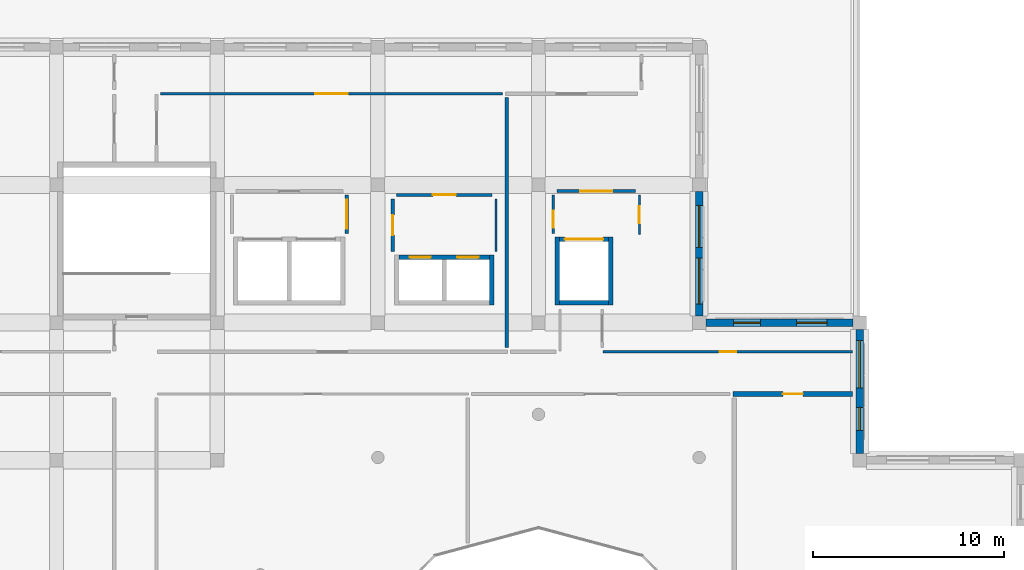
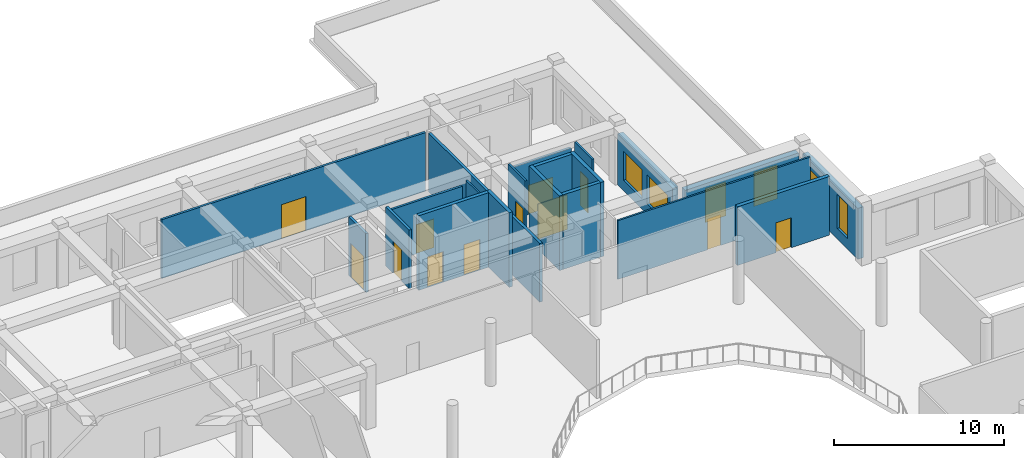
# One storey, part 14 of 47: 20 walls, 12 doors, 6 windows, 18 openings.
"""IFC4 building model written with IfcOpenShell, lengths in metres."""

from ifc_helpers import new_model, si_unit, derived_unit, direction, frame, frame_2d, origin, place, context, subcontext, project, spatial, rectangle, extrude, material, layer, layer_set, type_object, element, fill, save


model = new_model("IFC4")

# Units and contexts
model_context = context("Model", 3, precision=1e-05, world=origin(), true_north=direction((0.0, 1.0)))
body_context = subcontext(model_context, "Body", "Model", "MODEL_VIEW")
ifc_project = project(units=[si_unit("LENGTHUNIT", "METRE"), si_unit("AREAUNIT", "SQUARE_METRE"), si_unit("VOLUMEUNIT", "CUBIC_METRE"), si_unit("PLANEANGLEUNIT", "RADIAN"), si_unit("MASSUNIT", "GRAM", prefix="KILO"), derived_unit("THERMALTRANSMITTANCEUNIT", [(si_unit("POWERUNIT", "WATT"), 1), (si_unit("LENGTHUNIT", "METRE"), -2), (si_unit("THERMODYNAMICTEMPERATUREUNIT", "KELVIN"), -1)])], contexts=[model_context])

# Site, building, storey
site_placement = place(None, origin())
site = spatial("IfcSite", under=ifc_project, at=site_placement, CompositionType="ELEMENT")
building_placement = place(site_placement, origin())
building = spatial("IfcBuilding", under=site, at=building_placement, Name="Veybourne Emporium", CompositionType="ELEMENT")
storey_placement = place(building_placement, frame((0.0, 0.0, 23.39990234375)))
storey = spatial("IfcBuildingStorey", under=building, at=storey_placement, Name="L05", CompositionType="ELEMENT", Elevation=23.39990234375)

# Wall, openings, windows
ifc_material_1 = material(Name="Portland Limestone Ashlar", Category="masonry")
ifc_layer_1 = layer(ifc_material_1, 0.3798828125)
ifc_layer_set_1 = layer_set([ifc_layer_1], Name="Portland Limestone Ashlar")
wall_type_1 = type_object("IfcWallType", Name="ExtWall_EW-03", PredefinedType="SOLIDWALL", material=ifc_layer_set_1)
wall_1_placement = place(storey_placement, frame((84.0, 78.85009765625, 0.0), z_axis=(0.0, 0.0, 1.0), x_axis=(0.0, -1.0, 0.0)))
wall_1 = element("IfcWall", 1, at=wall_1_placement, inside=storey, type_object=wall_type_1, Name="L05 Portland stone external wall 044", PredefinedType="SOLIDWALL", context=body_context, shape_type="SweptSolid", body=[
    extrude(rectangle(XDim=6.5, YDim=0.3798828125, at=frame_2d((3.25, 0.0))), origin(), (0.0, 0.0, 1.0), 3.66015625),
])
opening_1_placement = place(wall_1_placement, frame((0.719970703125, 0.0, 0.75)))
opening_1 = element("IfcOpeningElement", 2, at=opening_1_placement, cuts=wall_1, Name="Opening W-14", PredefinedType="OPENING", context=body_context, shape_type="SweptSolid", body=[
    extrude(rectangle(XDim=2.199951171875, YDim=2.080078125, at=frame_2d((1.10009765625, 1.0400390625))), frame((0.0, 0.2099609375, 0.0), z_axis=(0.0, -1.0, 0.0), x_axis=(1.0, 0.0, 0.0)), (0.0, 0.0, 1.0), 0.419921875),
])
opening_2_placement = place(wall_1_placement, frame((3.47998046875, 0.0, 0.75)))
opening_2 = element("IfcOpeningElement", 3, at=opening_2_placement, cuts=wall_1, Name="Opening W-15", PredefinedType="OPENING", context=body_context, shape_type="SweptSolid", body=[
    extrude(rectangle(XDim=2.39990234375, YDim=2.080078125, at=frame_2d((1.199951171875, 1.0400390625))), frame((0.0, 0.2099609375, 0.0), z_axis=(0.0, -1.0, 0.0), x_axis=(1.0, 0.0, 0.0)), (0.0, 0.0, 1.0), 0.419921875),
])
ifc_material_2 = material(Name="Low-E Triple Glazing", Category="glass")
window_type_1 = type_object("IfcWindowType", Name="Win_W-14", PartitioningType="TRIPLE_PANEL_VERTICAL", PredefinedType="WINDOW", material=ifc_material_2)
window_1_placement = place(opening_1_placement, origin())
window_1 = element("IfcWindow", 4, at=window_1_placement, inside=storey, type_object=window_type_1, Name="L05 tripartite bronze casement window W-14 (44.1)", OverallHeight=2.080078125, OverallWidth=2.199951171875, PartitioningType="TRIPLE_PANEL_VERTICAL", PredefinedType="WINDOW", context=body_context, shape_type="SweptSolid", body=[
    extrude(rectangle(XDim=2.199951171875, YDim=2.080078125, at=frame_2d((1.10009765625, 1.0400390625))), frame((0.0, 0.030029296875, 0.0), z_axis=(0.0, -1.0, 0.0), x_axis=(1.0, 0.0, 0.0)), (0.0, 0.0, 1.0), 0.06005859375),
])
fill(opening_1, window_1)
window_type_2 = type_object("IfcWindowType", Name="Win_W-15", PartitioningType="TRIPLE_PANEL_VERTICAL", PredefinedType="WINDOW", material=ifc_material_2)
window_2_placement = place(opening_2_placement, origin())
window_2 = element("IfcWindow", 5, at=window_2_placement, inside=storey, type_object=window_type_2, Name="L05 tripartite bronze casement window W-15 (44.2)", OverallHeight=2.080078125, OverallWidth=2.39990234375, PartitioningType="TRIPLE_PANEL_VERTICAL", PredefinedType="WINDOW", context=body_context, shape_type="SweptSolid", body=[
    extrude(rectangle(XDim=2.39990234375, YDim=2.080078125, at=frame_2d((1.199951171875, 1.0400390625))), frame((0.0, 0.030029296875, 0.0), z_axis=(0.0, -1.0, 0.0), x_axis=(1.0, 0.0, 0.0)), (0.0, 0.0, 1.0), 0.06005859375),
])
fill(opening_2, window_2)

wall_2_placement = place(storey_placement, frame((92.39990234375, 71.64990234375, 0.0), z_axis=(0.0, 0.0, 1.0), x_axis=(0.0, -1.0, 0.0)))
wall_2 = element("IfcWall", 6, at=wall_2_placement, inside=storey, type_object=wall_type_1, Name="L05 Portland stone external wall 049", PredefinedType="SOLIDWALL", context=body_context, shape_type="SweptSolid", body=[
    extrude(rectangle(XDim=6.5, YDim=0.3798828125, at=frame_2d((3.25, 0.0))), origin(), (0.0, 0.0, 1.0), 3.66015625),
])
opening_3_placement = place(wall_2_placement, frame((0.5849609375, 0.0, 0.75)))
opening_3 = element("IfcOpeningElement", 7, at=opening_3_placement, cuts=wall_2, Name="Opening W-24", PredefinedType="OPENING", context=body_context, shape_type="SweptSolid", body=[
    extrude(rectangle(XDim=2.469970703125, YDim=2.260009765625, at=frame_2d((1.23486328125, 1.1298828125))), frame((0.0, 0.2099609375, 0.0), z_axis=(0.0, -1.0, 0.0), x_axis=(1.0, 0.0, 0.0)), (0.0, 0.0, 1.0), 0.419921875),
])
opening_4_placement = place(wall_2_placement, frame((4.080078125, 0.0, 0.75)))
opening_4 = element("IfcOpeningElement", 8, at=opening_4_placement, cuts=wall_2, Name="Opening W-25", PredefinedType="OPENING", context=body_context, shape_type="SweptSolid", body=[
    extrude(rectangle(XDim=1.199951171875, YDim=2.43994140625, at=frame_2d((0.60009765625, 1.219970703125))), frame((0.0, 0.2099609375, 0.0), z_axis=(0.0, -1.0, 0.0), x_axis=(1.0, 0.0, 0.0)), (0.0, 0.0, 1.0), 0.419921875),
])
window_type_3 = type_object("IfcWindowType", Name="Win_W-24", PartitioningType="TRIPLE_PANEL_VERTICAL", PredefinedType="WINDOW", material=ifc_material_2)
window_3_placement = place(opening_3_placement, origin())
window_3 = element("IfcWindow", 9, at=window_3_placement, inside=storey, type_object=window_type_3, Name="L05 tripartite bronze casement window W-24 (49.1)", OverallHeight=2.260009765625, OverallWidth=2.469970703125, PartitioningType="TRIPLE_PANEL_VERTICAL", PredefinedType="WINDOW", context=body_context, shape_type="SweptSolid", body=[
    extrude(rectangle(XDim=2.469970703125, YDim=2.260009765625, at=frame_2d((1.23486328125, 1.1298828125))), frame((0.0, 0.030029296875, 0.0), z_axis=(0.0, -1.0, 0.0), x_axis=(1.0, 0.0, 0.0)), (0.0, 0.0, 1.0), 0.06005859375),
])
fill(opening_3, window_3)
window_type_4 = type_object("IfcWindowType", Name="Win_W-25", PartitioningType="SINGLE_PANEL", PredefinedType="WINDOW", material=ifc_material_2)
window_4_placement = place(opening_4_placement, origin())
window_4 = element("IfcWindow", 10, at=window_4_placement, inside=storey, type_object=window_type_4, Name="L05 tripartite bronze casement window W-25 (49.2)", OverallHeight=2.43994140625, OverallWidth=1.199951171875, PartitioningType="SINGLE_PANEL", PredefinedType="WINDOW", context=body_context, shape_type="SweptSolid", body=[
    extrude(rectangle(XDim=1.199951171875, YDim=2.43994140625, at=frame_2d((0.60009765625, 1.219970703125))), frame((0.0, 0.030029296875, 0.0), z_axis=(0.0, -1.0, 0.0), x_axis=(1.0, 0.0, 0.0)), (0.0, 0.0, 1.0), 0.06005859375),
])
fill(opening_4, window_4)

wall_3_placement = place(storey_placement, frame((84.35009765625, 72.0, 0.0), z_axis=(0.0, 0.0, 1.0), x_axis=(1.0, 0.0, 0.0)))
wall_3 = element("IfcWall", 11, at=wall_3_placement, inside=storey, type_object=wall_type_1, Name="L05 Portland stone external wall 050", PredefinedType="SOLIDWALL", context=body_context, shape_type="SweptSolid", body=[
    extrude(rectangle(XDim=7.699951171875, YDim=0.3798828125, at=frame_2d((3.85009765625, 0.0))), origin(), (0.0, 0.0, 1.0), 3.66015625),
])
opening_5_placement = place(wall_3_placement, frame((1.4560546875, 0.0, 0.75)))
opening_5 = element("IfcOpeningElement", 12, at=opening_5_placement, cuts=wall_3, Name="Opening W-26", PredefinedType="OPENING", context=body_context, shape_type="SweptSolid", body=[
    extrude(rectangle(XDim=1.39990234375, YDim=2.43994140625, at=frame_2d((0.699951171875, 1.219970703125))), frame((0.0, 0.2099609375, 0.0), z_axis=(0.0, -1.0, 0.0), x_axis=(1.0, 0.0, 0.0)), (0.0, 0.0, 1.0), 0.419921875),
])
opening_6_placement = place(wall_3_placement, frame((4.743896484375, 0.0, 0.75)))
opening_6 = element("IfcOpeningElement", 13, at=opening_6_placement, cuts=wall_3, Name="Opening W-27", PredefinedType="OPENING", context=body_context, shape_type="SweptSolid", body=[
    extrude(rectangle(XDim=1.60009765625, YDim=2.43994140625, at=frame_2d((0.800048828125, 1.219970703125))), frame((0.0, 0.2099609375, 0.0), z_axis=(0.0, -1.0, 0.0), x_axis=(1.0, 0.0, 0.0)), (0.0, 0.0, 1.0), 0.419921875),
])
window_type_5 = type_object("IfcWindowType", Name="Win_W-26", PartitioningType="DOUBLE_PANEL_VERTICAL", PredefinedType="WINDOW", material=ifc_material_2)
window_5_placement = place(opening_5_placement, origin())
window_5 = element("IfcWindow", 14, at=window_5_placement, inside=storey, type_object=window_type_5, Name="L05 tripartite bronze casement window W-26 (50.1)", OverallHeight=2.43994140625, OverallWidth=1.39990234375, PartitioningType="DOUBLE_PANEL_VERTICAL", PredefinedType="WINDOW", context=body_context, shape_type="SweptSolid", body=[
    extrude(rectangle(XDim=1.39990234375, YDim=2.43994140625, at=frame_2d((0.699951171875, 1.219970703125))), frame((0.0, 0.030029296875, 0.0), z_axis=(0.0, -1.0, 0.0), x_axis=(1.0, 0.0, 0.0)), (0.0, 0.0, 1.0), 0.06005859375),
])
fill(opening_5, window_5)
window_type_6 = type_object("IfcWindowType", Name="Win_W-27", PartitioningType="DOUBLE_PANEL_VERTICAL", PredefinedType="WINDOW", material=ifc_material_2)
window_6_placement = place(opening_6_placement, origin())
window_6 = element("IfcWindow", 15, at=window_6_placement, inside=storey, type_object=window_type_6, Name="L05 tripartite bronze casement window W-27 (50.2)", OverallHeight=2.43994140625, OverallWidth=1.60009765625, PartitioningType="DOUBLE_PANEL_VERTICAL", PredefinedType="WINDOW", context=body_context, shape_type="SweptSolid", body=[
    extrude(rectangle(XDim=1.60009765625, YDim=2.43994140625, at=frame_2d((0.800048828125, 1.219970703125))), frame((0.0, 0.030029296875, 0.0), z_axis=(0.0, -1.0, 0.0), x_axis=(1.0, 0.0, 0.0)), (0.0, 0.0, 1.0), 0.06005859375),
])
fill(opening_6, window_6)

# Wall, openings, doors
ifc_material_3 = material(Name="Concrete C40/50", Category="concrete")
ifc_layer_2 = layer(ifc_material_3, 0.239990234375)
ifc_layer_set_2 = layer_set([ifc_layer_2], Name="Concrete C40/50")
wall_type_2 = type_object("IfcWallType", Name="IntWall_CW-04", PredefinedType="SHEAR", material=ifc_layer_set_2)
wall_4_placement = place(storey_placement, frame((73.0400390625, 75.419921875, 0.0), z_axis=(0.0, 0.0, 1.0), x_axis=(-1.0, 0.0, 0.0)))
wall_4 = element("IfcWall", 16, at=wall_4_placement, inside=storey, type_object=wall_type_2, Name="Lift core C4P north shaft wall (L05)", PredefinedType="SHEAR", context=body_context, shape_type="SweptSolid", body=[
    extrude(rectangle(XDim=4.739990234375, YDim=0.239990234375, at=frame_2d((2.3701171875, 0.0))), origin(), (0.0, 0.0, 1.0), 5.35009765625),
])
opening_7_placement = place(wall_4_placement, frame((3.06494140625, 0.0, 0.0)))
opening_7 = element("IfcOpeningElement", 17, at=opening_7_placement, cuts=wall_4, Name="Opening LD-01", PredefinedType="OPENING", context=body_context, shape_type="SweptSolid", body=[
    extrude(rectangle(XDim=1.10009765625, YDim=2.199951171875, at=frame_2d((0.550048828125, 1.10009765625))), frame((0.0, 0.14013671875, 0.0), z_axis=(0.0, -1.0, 0.0), x_axis=(1.0, 0.0, 0.0)), (0.0, 0.0, 1.0), 0.280029296875),
])
opening_8_placement = place(wall_4_placement, frame((0.574951171875, 0.0, 0.0)))
opening_8 = element("IfcOpeningElement", 18, at=opening_8_placement, cuts=wall_4, Name="Opening LD-01", PredefinedType="OPENING", context=body_context, shape_type="SweptSolid", body=[
    extrude(rectangle(XDim=1.10009765625, YDim=2.199951171875, at=frame_2d((0.550048828125, 1.10009765625))), frame((0.0, 0.14013671875, 0.0), z_axis=(0.0, -1.0, 0.0), x_axis=(1.0, 0.0, 0.0)), (0.0, 0.0, 1.0), 0.280029296875),
])
ifc_material_4 = material(Name="Patinated Architectural Bronze", Category="bronze")
door_type_1 = type_object("IfcDoorType", Name="FireDoor_LD-01", OperationType="DOUBLE_DOOR_SLIDING", PredefinedType="DOOR", material=ifc_material_4)
door_1_placement = place(opening_7_placement, origin())
door_1 = element("IfcDoor", 19, at=door_1_placement, inside=storey, type_object=door_type_1, Name="Lift PL-05 sliding landing door (L05)", OperationType="DOUBLE_DOOR_SLIDING", OverallHeight=2.199951171875, OverallWidth=1.10009765625, PredefinedType="DOOR", context=body_context, shape_type="SweptSolid", body=[
    extrude(rectangle(XDim=1.10009765625, YDim=2.199951171875, at=frame_2d((0.550048828125, 1.10009765625))), frame((0.0, 0.02490234375, 0.0), z_axis=(0.0, -1.0, 0.0), x_axis=(1.0, 0.0, 0.0)), (0.0, 0.0, 1.0), 0.050048828125),
])
fill(opening_7, door_1)
door_2_placement = place(opening_8_placement, origin())
door_2 = element("IfcDoor", 20, at=door_2_placement, inside=storey, type_object=door_type_1, Name="Lift PL-06 sliding landing door (L05)", OperationType="DOUBLE_DOOR_SLIDING", OverallHeight=2.199951171875, OverallWidth=1.10009765625, PredefinedType="DOOR", context=body_context, shape_type="SweptSolid", body=[
    extrude(rectangle(XDim=1.10009765625, YDim=2.199951171875, at=frame_2d((0.550048828125, 1.10009765625))), frame((0.0, 0.02490234375, 0.0), z_axis=(0.0, -1.0, 0.0), x_axis=(1.0, 0.0, 0.0)), (0.0, 0.0, 1.0), 0.050048828125),
])
fill(opening_8, door_2)

# Wall
wall_5_placement = place(storey_placement, frame((73.159912109375, 72.909912109375, 0.0), z_axis=(0.0, 0.0, 1.0), x_axis=(0.0, 1.0, 0.0)))
element("IfcWall", 21, at=wall_5_placement, inside=storey, type_object=wall_type_2, Name="Lift core C4P east shaft wall (L05)", PredefinedType="SHEAR", context=body_context, shape_type="SweptSolid", body=[
    extrude(rectangle(XDim=2.630126953125, YDim=0.239990234375, at=frame_2d((1.31494140625, 0.0))), origin(), (0.0, 0.0, 1.0), 5.35009765625),
])

# Wall, opening, door
wall_6_placement = place(storey_placement, frame((79.25, 76.3701171875, 0.0), z_axis=(0.0, 0.0, 1.0), x_axis=(-1.0, 0.0, 0.0)))
wall_6 = element("IfcWall", 22, at=wall_6_placement, inside=storey, type_object=wall_type_2, Name="Lift core C4E north shaft wall (L05)", PredefinedType="SHEAR", context=body_context, shape_type="SweptSolid", body=[
    extrude(rectangle(XDim=2.550048828125, YDim=0.239990234375, at=frame_2d((1.27490234375, 0.0))), origin(), (0.0, 0.0, 1.0), 5.35009765625),
])
opening_9_placement = place(wall_6_placement, frame((0.27490234375, 0.0, 0.0)))
opening_9 = element("IfcOpeningElement", 23, at=opening_9_placement, cuts=wall_6, Name="Opening LD-03", PredefinedType="OPENING", context=body_context, shape_type="SweptSolid", body=[
    extrude(rectangle(XDim=2.0, YDim=2.5, at=frame_2d((1.0, 1.25))), frame((0.0, 0.14013671875, 0.0), z_axis=(0.0, -1.0, 0.0), x_axis=(1.0, 0.0, 0.0)), (0.0, 0.0, 1.0), 0.280029296875),
])
door_type_2 = type_object("IfcDoorType", Name="FireDoor_LD-03", OperationType="DOUBLE_DOOR_SLIDING", PredefinedType="DOOR", material=ifc_material_4)
door_3_placement = place(opening_9_placement, origin())
door_3 = element("IfcDoor", 24, at=door_3_placement, inside=storey, type_object=door_type_2, Name="Lift GL-03 sliding landing door (L05)", OperationType="DOUBLE_DOOR_SLIDING", OverallHeight=2.5, OverallWidth=2.0, PredefinedType="DOOR", context=body_context, shape_type="SweptSolid", body=[
    extrude(rectangle(XDim=2.0, YDim=2.5, at=frame_2d((1.0, 1.25))), frame((0.0, 0.02490234375, 0.0), z_axis=(0.0, -1.0, 0.0), x_axis=(1.0, 0.0, 0.0)), (0.0, 0.0, 1.0), 0.050048828125),
])
fill(opening_9, door_3)

# Walls
wall_7_placement = place(storey_placement, frame((76.699951171875, 73.030029296875, 0.0), z_axis=(0.0, 0.0, 1.0), x_axis=(1.0, 0.0, 0.0)))
element("IfcWall", 25, at=wall_7_placement, inside=storey, type_object=wall_type_2, Name="Lift core C4E south shaft wall (L05)", PredefinedType="SHEAR", context=body_context, shape_type="SweptSolid", body=[
    extrude(rectangle(XDim=2.550048828125, YDim=0.239990234375, at=frame_2d((1.27490234375, 0.0))), origin(), (0.0, 0.0, 1.0), 5.35009765625),
])
for number, where, z_axis, x_axis, name in (
    (26, (76.580078125, 76.489990234375, 0.0), (0.0, 0.0, 1.0), (0.0, -1.0, 0.0), "Lift core C4E west shaft wall (L05)"),
    (27, (79.3701171875, 72.909912109375, 0.0), (0.0, 0.0, 1.0), (0.0, 1.0, 0.0), "Lift core C4E east shaft wall (L05)"),
):
    element("IfcWall", number, at=place(storey_placement, frame(where, z_axis=z_axis, x_axis=x_axis)), inside=storey, type_object=wall_type_2, Name=name, PredefinedType="SHEAR", context=body_context, shape_type="SweptSolid", body=[
        extrude(rectangle(XDim=3.580078125, YDim=0.239990234375, at=frame_2d((1.7900390625, 0.0))), origin(), (0.0, 0.0, 1.0), 5.35009765625),
    ])

# Wall, opening, door
ifc_material_5 = material(Name="Concrete C32/40", Category="concrete")
ifc_layer_3 = layer(ifc_material_5, 0.25)
ifc_layer_set_3 = layer_set([ifc_layer_3], Name="Concrete C32/40")
wall_type_3 = type_object("IfcWallType", Name="IntWall_FW-01", PredefinedType="SOLIDWALL", material=ifc_layer_set_3)
wall_8_placement = place(storey_placement, frame((85.780029296875, 68.27001953125, 0.0), z_axis=(0.0, 0.0, 1.0), x_axis=(1.0, 0.0, 0.0)))
wall_8 = element("IfcWall", 28, at=wall_8_placement, inside=storey, type_object=wall_type_3, Name="L05 interior partition FW-01 #046", PredefinedType="SOLIDWALL", context=body_context, shape_type="SweptSolid", body=[
    extrude(rectangle(XDim=6.25, YDim=0.25, at=frame_2d((3.125, 0.0))), origin(), (0.0, 0.0, 1.0), 4.210205078125),
])
opening_10_placement = place(wall_8_placement, frame((2.60009765625, 0.0, 0.0)))
opening_10 = element("IfcOpeningElement", 29, at=opening_10_placement, cuts=wall_8, Name="Opening FD-02", PredefinedType="OPENING", context=body_context, shape_type="SweptSolid", body=[
    extrude(rectangle(XDim=1.050048828125, YDim=2.14990234375, at=frame_2d((0.52490234375, 1.074951171875))), frame((0.0, 0.14501953125, 0.0), z_axis=(0.0, -1.0, 0.0), x_axis=(1.0, 0.0, 0.0)), (0.0, 0.0, 1.0), 0.2900390625),
])
door_type_3 = type_object("IfcDoorType", Name="FireDoor_FD-02", OperationType="NOTDEFINED", PredefinedType="DOOR", material=ifc_material_4)
door_4_placement = place(opening_10_placement, origin())
door_4 = element("IfcDoor", 30, at=door_4_placement, inside=storey, type_object=door_type_3, Name="L05 interior door FD-02 (PART-L05-046)", OperationType="SINGLE_SWING_LEFT", OverallHeight=2.14990234375, OverallWidth=1.050048828125, PredefinedType="DOOR", context=body_context, shape_type="SweptSolid", body=[
    extrude(rectangle(XDim=1.050048828125, YDim=2.14990234375, at=frame_2d((0.52490234375, 1.074951171875))), frame((0.0, 0.02490234375, 0.0), z_axis=(0.0, -1.0, 0.0), x_axis=(1.0, 0.0, 0.0)), (0.0, 0.0, 1.0), 0.050048828125),
])
fill(opening_10, door_4)

ifc_material_6 = material(Name="Gypsum Acoustic Board", Category="gypsum")
ifc_layer_4 = layer(ifc_material_6, 0.179931640625)
ifc_layer_set_4 = layer_set([ifc_layer_4], Name="Gypsum Acoustic Board")
wall_type_4 = type_object("IfcWallType", Name="IntWall_IW-01", PredefinedType="PARTITIONING", material=ifc_layer_set_4)
wall_9_placement = place(storey_placement, frame((67.969970703125, 75.721923828125, 0.0), z_axis=(0.0, 0.0, 1.0), x_axis=(0.0, 1.0, 0.0)))
wall_9 = element("IfcWall", 31, at=wall_9_placement, inside=storey, type_object=wall_type_4, Name="L05 interior partition IW-01 #066", PredefinedType="PARTITIONING", context=body_context, shape_type="SweptSolid", body=[
    extrude(rectangle(XDim=2.748046875, YDim=0.179931640625, at=frame_2d((1.3740234375, 0.0))), origin(), (0.0, 0.0, 1.0), 4.210205078125),
])
opening_11_placement = place(wall_9_placement, frame((0.85400390625, 0.0, 0.0)))
opening_11 = element("IfcOpeningElement", 32, at=opening_11_placement, cuts=wall_9, Name="Opening D-20", PredefinedType="OPENING", context=body_context, shape_type="SweptSolid", body=[
    extrude(rectangle(XDim=1.0400390625, YDim=2.2900390625, at=frame_2d((0.52001953125, 1.14501953125))), frame((0.0, 0.10986328125, 0.0), z_axis=(0.0, -1.0, 0.0), x_axis=(1.0, 0.0, 0.0)), (0.0, 0.0, 1.0), 0.219970703125),
])
ifc_material_7 = material(Name="European Oak Veneer and Bronze", Category="wood")
door_type_4 = type_object("IfcDoorType", Name="IntDoor_D-20", OperationType="NOTDEFINED", PredefinedType="DOOR", material=ifc_material_7)
door_5_placement = place(opening_11_placement, origin())
door_5 = element("IfcDoor", 33, at=door_5_placement, inside=storey, type_object=door_type_4, Name="L05 interior door D-20 (PART-L05-066)", OperationType="SINGLE_SWING_RIGHT", OverallHeight=2.2900390625, OverallWidth=1.0400390625, PredefinedType="DOOR", context=body_context, shape_type="SweptSolid", body=[
    extrude(rectangle(XDim=1.0400390625, YDim=2.2900390625, at=frame_2d((0.52001953125, 1.14501953125))), frame((0.0, 0.02490234375, 0.0), z_axis=(0.0, -1.0, 0.0), x_axis=(1.0, 0.0, 0.0)), (0.0, 0.0, 1.0), 0.050048828125),
])
fill(opening_11, door_5)

wall_10_placement = place(storey_placement, frame((65.580078125, 76.6650390625, 0.0), z_axis=(0.0, 0.0, 1.0), x_axis=(0.0, 1.0, 0.0)))
wall_10 = element("IfcWall", 34, at=wall_10_placement, inside=storey, type_object=wall_type_4, Name="L05 interior partition IW-01 #081", PredefinedType="PARTITIONING", context=body_context, shape_type="SweptSolid", body=[
    extrude(rectangle(XDim=2.0048828125, YDim=0.179931640625, at=frame_2d((1.00244140625, 0.0))), origin(), (0.0, 0.0, 1.0), 4.210205078125),
])
opening_12_placement = place(wall_10_placement, frame((0.242431640625, 0.0, 0.0)))
opening_12 = element("IfcOpeningElement", 35, at=opening_12_placement, cuts=wall_10, Name="Opening D-35", PredefinedType="OPENING", context=body_context, shape_type="SweptSolid", body=[
    extrude(rectangle(XDim=1.52001953125, YDim=2.449951171875, at=frame_2d((0.760009765625, 1.22509765625))), frame((0.0, 0.10986328125, 0.0), z_axis=(0.0, -1.0, 0.0), x_axis=(1.0, 0.0, 0.0)), (0.0, 0.0, 1.0), 0.219970703125),
])
door_type_5 = type_object("IfcDoorType", Name="IntDoor_D-35", OperationType="NOTDEFINED", PredefinedType="DOOR", material=ifc_material_7)
door_6_placement = place(opening_12_placement, origin())
door_6 = element("IfcDoor", 36, at=door_6_placement, inside=storey, type_object=door_type_5, Name="L05 interior door D-35 (PART-L05-081)", OperationType="SINGLE_SWING_LEFT", OverallHeight=2.449951171875, OverallWidth=1.52001953125, PredefinedType="DOOR", context=body_context, shape_type="SweptSolid", body=[
    extrude(rectangle(XDim=1.52001953125, YDim=2.449951171875, at=frame_2d((0.760009765625, 1.22509765625))), frame((0.0, 0.02490234375, 0.0), z_axis=(0.0, -1.0, 0.0), x_axis=(1.0, 0.0, 0.0)), (0.0, 0.0, 1.0), 0.050048828125),
])
fill(opening_12, door_6)

# Wall
wall_11_placement = place(storey_placement, frame((73.929931640625, 70.68994140625, 0.0), z_axis=(0.0, 0.0, 1.0), x_axis=(0.0, 1.0, 0.0)))
element("IfcWall", 37, at=wall_11_placement, inside=storey, type_object=wall_type_4, Name="L05 interior partition IW-01 #102", PredefinedType="PARTITIONING", context=body_context, shape_type="SweptSolid", body=[
    extrude(rectangle(XDim=13.070068359375, YDim=0.179931640625, at=frame_2d((6.53515625, 0.0))), origin(), (0.0, 0.0, 1.0), 4.210205078125),
])

# Wall, opening, door
ifc_layer_5 = layer(ifc_material_6, 0.14990234375)
ifc_layer_set_5 = layer_set([ifc_layer_5], Name="Gypsum Acoustic Board")
wall_type_5 = type_object("IfcWallType", Name="IntWall_IW-02", PredefinedType="PARTITIONING", material=ifc_layer_set_5)
wall_12_placement = place(storey_placement, frame((55.840087890625, 83.969970703125, 0.0), z_axis=(0.0, 0.0, 1.0), x_axis=(1.0, 0.0, 0.0)))
wall_12 = element("IfcWall", 38, at=wall_12_placement, inside=storey, type_object=wall_type_5, Name="L05 interior partition IW-02 #010", PredefinedType="PARTITIONING", context=body_context, shape_type="SweptSolid", body=[
    extrude(rectangle(XDim=17.8798828125, YDim=0.14990234375, at=frame_2d((8.93994140625, 0.0))), origin(), (0.0, 0.0, 1.0), 4.210205078125),
])
opening_13_placement = place(wall_12_placement, frame((8.10009765625, 0.0, 0.0)))
opening_13 = element("IfcOpeningElement", 39, at=opening_13_placement, cuts=wall_12, Name="Opening D-36", PredefinedType="OPENING", context=body_context, shape_type="SweptSolid", body=[
    extrude(rectangle(XDim=1.679931640625, YDim=2.449951171875, at=frame_2d((0.83984375, 1.22509765625))), frame((0.0, 0.094970703125, 0.0), z_axis=(0.0, -1.0, 0.0), x_axis=(1.0, 0.0, 0.0)), (0.0, 0.0, 1.0), 0.18994140625),
])
door_type_6 = type_object("IfcDoorType", Name="IntDoor_D-36", OperationType="DOUBLE_DOOR_SINGLE_SWING", PredefinedType="DOOR", material=ifc_material_7)
door_7_placement = place(opening_13_placement, origin())
door_7 = element("IfcDoor", 40, at=door_7_placement, inside=storey, type_object=door_type_6, Name="L05 interior door D-36 (PART-L05-010)", OperationType="DOUBLE_DOOR_SINGLE_SWING", OverallHeight=2.449951171875, OverallWidth=1.679931640625, PredefinedType="DOOR", context=body_context, shape_type="SweptSolid", body=[
    extrude(rectangle(XDim=1.679931640625, YDim=2.449951171875, at=frame_2d((0.83984375, 1.22509765625))), frame((0.0, 0.02490234375, 0.0), z_axis=(0.0, -1.0, 0.0), x_axis=(1.0, 0.0, 0.0)), (0.0, 0.0, 1.0), 0.050048828125),
])
fill(opening_13, door_7)

wall_13_placement = place(storey_placement, frame((68.179931640625, 78.679931640625, 0.0), z_axis=(0.0, 0.0, 1.0), x_axis=(1.0, 0.0, 0.0)))
wall_13 = element("IfcWall", 41, at=wall_13_placement, inside=storey, type_object=wall_type_5, Name="L05 interior partition IW-02 #049", PredefinedType="PARTITIONING", context=body_context, shape_type="SweptSolid", body=[
    extrude(rectangle(XDim=4.989990234375, YDim=0.14990234375, at=frame_2d((2.4951171875, 0.0))), origin(), (0.0, 0.0, 1.0), 3.760009765625),
])
opening_14_placement = place(wall_13_placement, frame((1.89501953125, 0.0, 0.0)))
opening_14 = element("IfcOpeningElement", 42, at=opening_14_placement, cuts=wall_13, Name="Opening D-03", PredefinedType="OPENING", context=body_context, shape_type="SweptSolid", body=[
    extrude(rectangle(XDim=1.199951171875, YDim=2.050048828125, at=frame_2d((0.60009765625, 1.02490234375))), frame((0.0, 0.094970703125, 0.0), z_axis=(0.0, -1.0, 0.0), x_axis=(1.0, 0.0, 0.0)), (0.0, 0.0, 1.0), 0.18994140625),
])
door_type_7 = type_object("IfcDoorType", Name="IntDoor_D-03", OperationType="NOTDEFINED", PredefinedType="DOOR", material=ifc_material_7)
door_8_placement = place(opening_14_placement, origin())
door_8 = element("IfcDoor", 43, at=door_8_placement, inside=storey, type_object=door_type_7, Name="L05 interior door D-03 (PART-L05-049)", OperationType="SINGLE_SWING_RIGHT", OverallHeight=2.050048828125, OverallWidth=1.199951171875, PredefinedType="DOOR", context=body_context, shape_type="SweptSolid", body=[
    extrude(rectangle(XDim=1.199951171875, YDim=2.050048828125, at=frame_2d((0.60009765625, 1.02490234375))), frame((0.0, 0.02490234375, 0.0), z_axis=(0.0, -1.0, 0.0), x_axis=(1.0, 0.0, 0.0)), (0.0, 0.0, 1.0), 0.050048828125),
])
fill(opening_14, door_8)

wall_14_placement = place(storey_placement, frame((76.580078125, 78.8798828125, 0.0), z_axis=(0.0, 0.0, 1.0), x_axis=(1.0, 0.0, 0.0)))
wall_14 = element("IfcWall", 44, at=wall_14_placement, inside=storey, type_object=wall_type_5, Name="L05 interior partition IW-02 #052", PredefinedType="PARTITIONING", context=body_context, shape_type="SweptSolid", body=[
    extrude(rectangle(XDim=4.08984375, YDim=0.14990234375, at=frame_2d((2.044921875, 0.0))), origin(), (0.0, 0.0, 1.0), 3.760009765625),
])
opening_15_placement = place(wall_14_placement, frame((1.205078125, 0.0, 0.0)))
opening_15 = element("IfcOpeningElement", 45, at=opening_15_placement, cuts=wall_14, Name="Opening D-06", PredefinedType="OPENING", context=body_context, shape_type="SweptSolid", body=[
    extrude(rectangle(XDim=1.679931640625, YDim=2.050048828125, at=frame_2d((0.83984375, 1.02490234375))), frame((0.0, 0.094970703125, 0.0), z_axis=(0.0, -1.0, 0.0), x_axis=(1.0, 0.0, 0.0)), (0.0, 0.0, 1.0), 0.18994140625),
])
door_type_8 = type_object("IfcDoorType", Name="IntDoor_D-06", OperationType="DOUBLE_DOOR_SINGLE_SWING", PredefinedType="DOOR", material=ifc_material_7)
door_9_placement = place(opening_15_placement, origin())
door_9 = element("IfcDoor", 46, at=door_9_placement, inside=storey, type_object=door_type_8, Name="L05 interior door D-06 (PART-L05-052)", OperationType="DOUBLE_DOOR_SINGLE_SWING", OverallHeight=2.050048828125, OverallWidth=1.679931640625, PredefinedType="DOOR", context=body_context, shape_type="SweptSolid", body=[
    extrude(rectangle(XDim=1.679931640625, YDim=2.050048828125, at=frame_2d((0.83984375, 1.02490234375))), frame((0.0, 0.02490234375, 0.0), z_axis=(0.0, -1.0, 0.0), x_axis=(1.0, 0.0, 0.0)), (0.0, 0.0, 1.0), 0.050048828125),
])
fill(opening_15, door_9)

ifc_layer_6 = layer(ifc_material_6, 0.1201171875)
ifc_layer_set_6 = layer_set([ifc_layer_6], Name="Gypsum Acoustic Board")
wall_type_6 = type_object("IfcWallType", Name="IntWall_IW-03", PredefinedType="PARTITIONING", material=ifc_layer_set_6)
wall_15_placement = place(storey_placement, frame((78.97998046875, 70.47998046875, 0.0), z_axis=(0.0, 0.0, 1.0), x_axis=(1.0, 0.0, 0.0)))
wall_15 = element("IfcWall", 47, at=wall_15_placement, inside=storey, type_object=wall_type_6, Name="L05 interior partition IW-03 #023", PredefinedType="PARTITIONING", context=body_context, shape_type="SweptSolid", body=[
    extrude(rectangle(XDim=13.050048828125, YDim=0.1201171875, at=frame_2d((6.52490234375, 0.0))), origin(), (0.0, 0.0, 1.0), 4.210205078125),
])
opening_16_placement = place(wall_15_placement, frame((6.0849609375, 0.0, 0.0)))
opening_16 = element("IfcOpeningElement", 48, at=opening_16_placement, cuts=wall_15, Name="Opening D-13", PredefinedType="OPENING", context=body_context, shape_type="SweptSolid", body=[
    extrude(rectangle(XDim=0.8798828125, YDim=2.2099609375, at=frame_2d((0.43994140625, 1.10498046875))), frame((0.0, 0.080078125, 0.0), z_axis=(0.0, -1.0, 0.0), x_axis=(1.0, 0.0, 0.0)), (0.0, 0.0, 1.0), 0.16015625),
])
door_type_9 = type_object("IfcDoorType", Name="IntDoor_D-13", OperationType="NOTDEFINED", PredefinedType="DOOR", material=ifc_material_7)
door_10_placement = place(opening_16_placement, origin())
door_10 = element("IfcDoor", 49, at=door_10_placement, inside=storey, type_object=door_type_9, Name="L05 interior door D-13 (PART-L05-023)", OperationType="SINGLE_SWING_LEFT", OverallHeight=2.2099609375, OverallWidth=0.8798828125, PredefinedType="DOOR", context=body_context, shape_type="SweptSolid", body=[
    extrude(rectangle(XDim=0.8798828125, YDim=2.2099609375, at=frame_2d((0.43994140625, 1.10498046875))), frame((0.0, 0.02490234375, 0.0), z_axis=(0.0, -1.0, 0.0), x_axis=(1.0, 0.0, 0.0)), (0.0, 0.0, 1.0), 0.050048828125),
])
fill(opening_16, door_10)

# Wall
wall_16_placement = place(storey_placement, frame((73.3798828125, 75.715087890625, 0.0), z_axis=(0.0, 0.0, 1.0), x_axis=(0.0, 1.0, 0.0)))
element("IfcWall", 50, at=wall_16_placement, inside=storey, type_object=wall_type_6, Name="L05 interior partition IW-03 #065", PredefinedType="PARTITIONING", context=body_context, shape_type="SweptSolid", body=[
    extrude(rectangle(XDim=2.7548828125, YDim=0.1201171875, at=frame_2d((1.37744140625, 0.0))), origin(), (0.0, 0.0, 1.0), 4.210205078125),
])

# Wall, opening, door
wall_17_placement = place(storey_placement, frame((80.8798828125, 76.6201171875, 0.0), z_axis=(0.0, 0.0, 1.0), x_axis=(0.0, 1.0, 0.0)))
wall_17 = element("IfcWall", 51, at=wall_17_placement, inside=storey, type_object=wall_type_6, Name="L05 interior partition IW-03 #077", PredefinedType="PARTITIONING", context=body_context, shape_type="SweptSolid", body=[
    extrude(rectangle(XDim=2.0498046875, YDim=0.1201171875, at=frame_2d((1.02490234375, 0.0))), origin(), (0.0, 0.0, 1.0), 4.210205078125),
])
opening_17_placement = place(wall_17_placement, frame((0.5849609375, 0.0, 0.0)))
opening_17 = element("IfcOpeningElement", 52, at=opening_17_placement, cuts=wall_17, Name="Opening D-31", PredefinedType="OPENING", context=body_context, shape_type="SweptSolid", body=[
    extrude(rectangle(XDim=0.8798828125, YDim=2.449951171875, at=frame_2d((0.43994140625, 1.22509765625))), frame((0.0, 0.080078125, 0.0), z_axis=(0.0, -1.0, 0.0), x_axis=(1.0, 0.0, 0.0)), (0.0, 0.0, 1.0), 0.16015625),
])
door_type_10 = type_object("IfcDoorType", Name="IntDoor_D-31", OperationType="NOTDEFINED", PredefinedType="DOOR", material=ifc_material_7)
door_11_placement = place(opening_17_placement, origin())
door_11 = element("IfcDoor", 53, at=door_11_placement, inside=storey, type_object=door_type_10, Name="L05 interior door D-31 (PART-L05-077)", OperationType="SINGLE_SWING_LEFT", OverallHeight=2.449951171875, OverallWidth=0.8798828125, PredefinedType="DOOR", context=body_context, shape_type="SweptSolid", body=[
    extrude(rectangle(XDim=0.8798828125, YDim=2.449951171875, at=frame_2d((0.43994140625, 1.22509765625))), frame((0.0, 0.02490234375, 0.0), z_axis=(0.0, -1.0, 0.0), x_axis=(1.0, 0.0, 0.0)), (0.0, 0.0, 1.0), 0.050048828125),
])
fill(opening_17, door_11)

wall_18_placement = place(storey_placement, frame((76.3701171875, 76.672119140625, 0.0), z_axis=(0.0, 0.0, 1.0), x_axis=(0.0, 1.0, 0.0)))
wall_18 = element("IfcWall", 54, at=wall_18_placement, inside=storey, type_object=wall_type_6, Name="L05 interior partition IW-03 #083", PredefinedType="PARTITIONING", context=body_context, shape_type="SweptSolid", body=[
    extrude(rectangle(XDim=1.997802734375, YDim=0.1201171875, at=frame_2d((0.9990234375, 0.0))), origin(), (0.0, 0.0, 1.0), 4.210205078125),
])
opening_18_placement = place(wall_18_placement, frame((0.290771484375, 0.0, 0.0)))
opening_18 = element("IfcOpeningElement", 55, at=opening_18_placement, cuts=wall_18, Name="Opening D-01", PredefinedType="OPENING", context=body_context, shape_type="SweptSolid", body=[
    extrude(rectangle(XDim=0.8798828125, YDim=2.050048828125, at=frame_2d((0.43994140625, 1.02490234375))), frame((0.0, 0.080078125, 0.0), z_axis=(0.0, -1.0, 0.0), x_axis=(1.0, 0.0, 0.0)), (0.0, 0.0, 1.0), 0.16015625),
])
door_type_11 = type_object("IfcDoorType", Name="IntDoor_D-01", OperationType="NOTDEFINED", PredefinedType="DOOR", material=ifc_material_7)
door_12_placement = place(opening_18_placement, origin())
door_12 = element("IfcDoor", 56, at=door_12_placement, inside=storey, type_object=door_type_11, Name="L05 interior door D-01 (PART-L05-083)", OperationType="SINGLE_SWING_RIGHT", OverallHeight=2.050048828125, OverallWidth=0.8798828125, PredefinedType="DOOR", context=body_context, shape_type="SweptSolid", body=[
    extrude(rectangle(XDim=0.8798828125, YDim=2.050048828125, at=frame_2d((0.43994140625, 1.02490234375))), frame((0.0, 0.02490234375, 0.0), z_axis=(0.0, -1.0, 0.0), x_axis=(1.0, 0.0, 0.0)), (0.0, 0.0, 1.0), 0.050048828125),
])
fill(opening_18, door_12)

save(model, "model.ifc")
